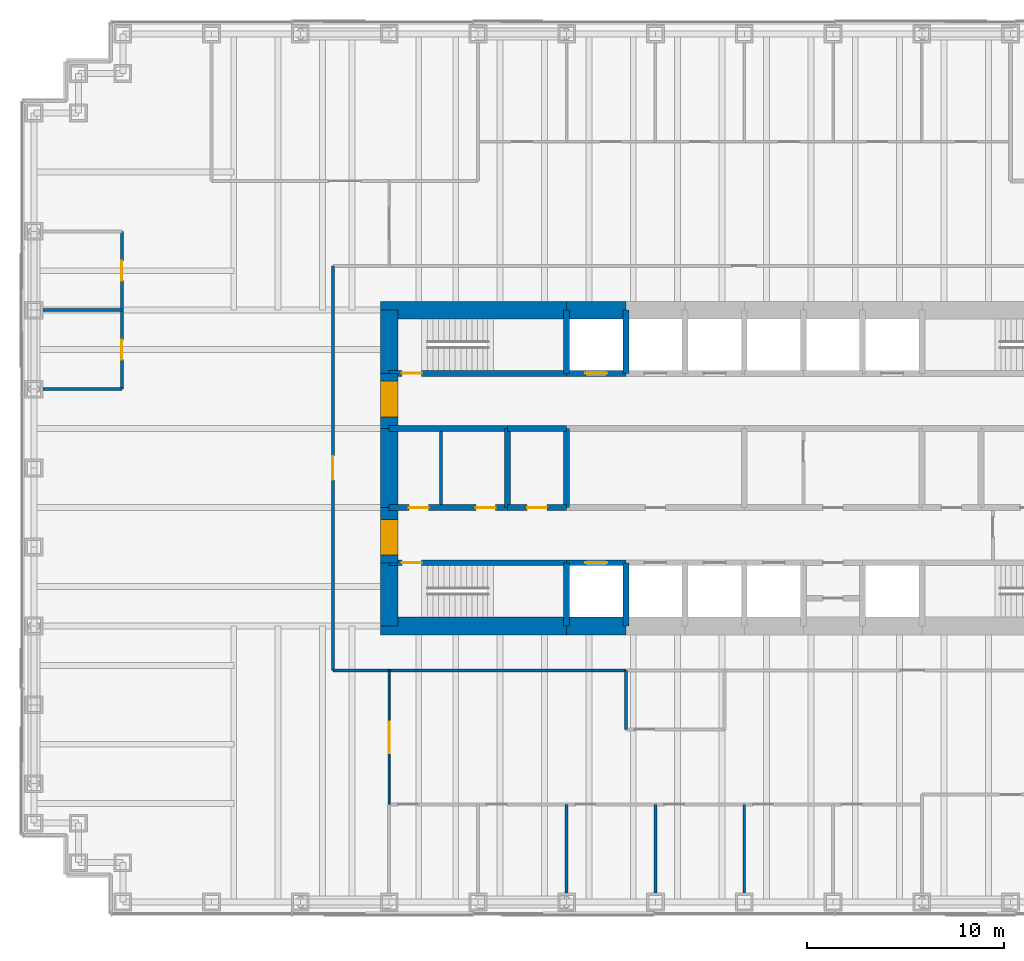
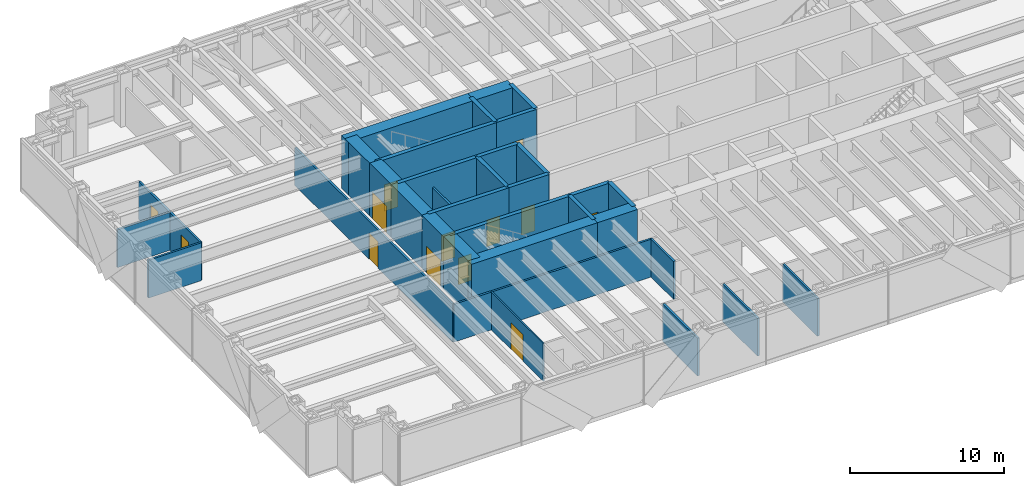
# One storey, part 11 of 15: 34 walls, 13 doors, 13 openings.
"""IFC4 building model written with IfcOpenShell, lengths in metres."""

import ifcopenshell
import ifcopenshell.guid

model = None  # the IFC model being written
_history = None  # IfcOwnerHistory: only IFC2X3 demands one
_inside = {}  # id of a spatial element -> (the spatial element, [elements in it])
_under = {}  # id of a project, library or spatial element -> (it, [spatial elements below it])
_declared = {}  # id of a project -> (the project, [libraries it declares])
_typed = {}  # id of a type object -> (the type object, [elements of that type])
_made_of = {}  # id of a material, layer set ... -> (it, [elements and type objects made of it])


def new_model(schema):
    """Start an empty IFC model of exactly this schema.

    Asked for "IFC4X3", IfcOpenShell would pick the latest addendum, in which some entities
    have other attributes; the version numbers below select the first issue.
    IFC2X3 requires an IfcOwnerHistory on every rooted entity: one is made here for all.
    """
    global model, _history
    if schema == "IFC4X3":
        model = ifcopenshell.file(schema_version=(4, 3, 0, 0))
    else:
        model = ifcopenshell.file(schema=schema)
    _inside.clear()
    _under.clear()
    _declared.clear()
    _typed.clear()
    _made_of.clear()
    _history = None
    if model.schema == "IFC2X3":
        org = make("IfcOrganization", Name="unknown")
        user = make(
            "IfcPersonAndOrganization",
            ThePerson=make("IfcPerson", FamilyName="unknown"),
            TheOrganization=org,
        )
        app = make(
            "IfcApplication",
            ApplicationDeveloper=org,
            Version="unknown",
            ApplicationFullName="unknown",
            ApplicationIdentifier="unknown",
        )
        _history = make(
            "IfcOwnerHistory",
            OwningUser=user,
            OwningApplication=app,
            ChangeAction="ADDED",
            CreationDate=0,
        )
    return model


def make(cls, **values):
    """One entity of the class cls with the attributes given. An attribute that is None is left unset."""
    return model.create_entity(
        cls, **{name: value for name, value in values.items() if value is not None}
    )


def rooted(cls, **values):
    """An entity with a GlobalId (a new one), such as an element, a storey or a relation."""
    return make(cls, GlobalId=ifcopenshell.guid.new(), OwnerHistory=_history, **values)


def si_unit(unit_type, name, prefix=None):
    """IfcSIUnit, for example si_unit("LENGTHUNIT", "METRE", prefix="MILLI")."""
    return make("IfcSIUnit", UnitType=unit_type, Prefix=prefix, Name=name)


def assignment(units):
    """IfcUnitAssignment: the units of a project."""
    return None if units is None else make("IfcUnitAssignment", Units=units)


def point(xyz):
    """IfcCartesianPoint."""
    return None if xyz is None else make("IfcCartesianPoint", Coordinates=xyz)


def direction(xyz):
    """IfcDirection."""
    return None if xyz is None else make("IfcDirection", DirectionRatios=xyz)


def frame(location, z_axis=None, x_axis=None):
    """IfcAxis2Placement3D, a coordinate frame: its origin and axes. An axis left out is left unset."""
    return make(
        "IfcAxis2Placement3D",
        Location=point(location),
        Axis=direction(z_axis),
        RefDirection=direction(x_axis),
    )


def frame_2d(location, x_axis=None):
    """IfcAxis2Placement2D, a coordinate frame in the plane: its origin and x axis."""
    return make(
        "IfcAxis2Placement2D", Location=point(location), RefDirection=direction(x_axis)
    )


def origin():
    """The frame at (0, 0, 0) with its axes left unset."""
    return frame((0.0, 0.0, 0.0))


def place(relative_to, where):
    """IfcLocalPlacement: puts the frame where relative to a parent placement (None: the world)."""
    return make(
        "IfcLocalPlacement", PlacementRelTo=relative_to, RelativePlacement=where
    )


def context(
    kind, dimensions, precision=None, world=None, true_north=None, identifier=None
):
    """IfcGeometricRepresentationContext, for example the 3D "Model" context."""
    return make(
        "IfcGeometricRepresentationContext",
        ContextIdentifier=identifier,
        ContextType=kind,
        CoordinateSpaceDimension=dimensions,
        Precision=precision,
        WorldCoordinateSystem=world,
        TrueNorth=true_north,
    )


def subcontext(parent, identifier, kind, view, scale=None):
    """IfcGeometricRepresentationSubContext, for example "Body" below "Model"."""
    return make(
        "IfcGeometricRepresentationSubContext",
        ContextIdentifier=identifier,
        ContextType=kind,
        ParentContext=parent,
        TargetScale=scale,
        TargetView=view,
    )


def project(units=None, contexts=None):
    """IfcProject with its units and contexts."""
    return rooted(
        "IfcProject",
        Name="project",
        RepresentationContexts=contexts,
        UnitsInContext=assignment(units),
    )


def spatial(cls, under=None, at=None, **own):
    """A site, building, storey or space (cls), placed at a placement, below another one or the project."""
    s = rooted(cls, ObjectPlacement=at, **own)
    if under is not None:
        _under.setdefault(under.id(), (under, []))[1].append(s)
    return s


def profile(cls, at=None, kind="AREA", **sizes):
    """A parametric profile (cls). Its sizes go by their IFC names, for example OverallWidth=200.0."""
    return make(cls, ProfileType=kind, Position=at, **sizes)


def rectangle(**sizes):
    """IfcRectangleProfileDef."""
    return profile("IfcRectangleProfileDef", **sizes)


def extrude(swept, where, along, depth):
    """IfcExtrudedAreaSolid: the profile swept, set in the frame where, extruded along a direction by depth."""
    return make(
        "IfcExtrudedAreaSolid",
        SweptArea=swept,
        Position=where,
        ExtrudedDirection=direction(along),
        Depth=depth,
    )


def shape(context_of_items, identifier, shape_type, items):
    """IfcShapeRepresentation: the items that make up one representation, for example the "Body"."""
    return make(
        "IfcShapeRepresentation",
        ContextOfItems=context_of_items,
        RepresentationIdentifier=identifier,
        RepresentationType=shape_type,
        Items=items,
    )


def material(Name=None, Category=None):
    """IfcMaterial."""
    return make("IfcMaterial", Name=Name, Category=Category)


def layer(
    of_material, thickness, ventilated=None, Name=None, Category=None, Priority=None
):
    """IfcMaterialLayer: one layer of a wall or slab, of a material (None: an air gap)."""
    return make(
        "IfcMaterialLayer",
        Material=of_material,
        LayerThickness=thickness,
        IsVentilated=ventilated,
        Name=Name,
        Category=Category,
        Priority=Priority,
    )


def layer_set(layers, Name=None):
    """IfcMaterialLayerSet."""
    return make("IfcMaterialLayerSet", MaterialLayers=layers, LayerSetName=Name)


def made_of(thing, what):
    """Note that an element or type object is made of a material, layer set ...; save() writes the relation."""
    if what is not None:
        _made_of.setdefault(what.id(), (what, []))[1].append(thing)
    return thing


def type_object(cls, material=None, **own):
    """A type object (cls), such as IfcWallType, which elements share."""
    return made_of(rooted(cls, **own), material)


def element(
    cls,
    number,
    at=None,
    inside=None,
    cuts=None,
    type_object=None,
    material=None,
    context=None,
    identifier="Body",
    shape_type=None,
    held_by="IfcProductDefinitionShape",
    body=None,
    shapes=None,
    **own,
):
    """One element of the class cls, such as IfcWall. Its Tag is "e" and its number.

    at: its placement. inside: the storey or other place that contains it. cuts: it is an
    opening in that element (IfcRelVoidsElement). A single representation is given by context,
    identifier, shape_type and body (its items); several are given by shapes. held_by: the class
    of the entity that holds the representations. save() writes the other relations.
    """
    e = rooted(cls, Tag="e%d" % number, ObjectPlacement=at, **own)
    if body is not None:
        shapes = [shape(context, identifier, shape_type, body)]
    if shapes is not None:
        e.Representation = make(held_by, Representations=shapes)
    if inside is not None:
        _inside.setdefault(inside.id(), (inside, []))[1].append(e)
    if cuts is not None:
        rooted(
            "IfcRelVoidsElement", RelatingBuildingElement=cuts, RelatedOpeningElement=e
        )
    if type_object is not None:
        _typed.setdefault(type_object.id(), (type_object, []))[1].append(e)
    return made_of(e, material)


def fill(opening, filler):
    """IfcRelFillsElement: the door or window that sits in an opening."""
    return rooted(
        "IfcRelFillsElement",
        RelatingOpeningElement=opening,
        RelatedBuildingElement=filler,
    )


def aggregate(whole, parts):
    """IfcRelAggregates: a whole, such as a stair, and the parts it consists of."""
    return rooted("IfcRelAggregates", RelatingObject=whole, RelatedObjects=parts)


def save(model, path):
    """Write the relations noted so far, then the file.

    IfcRelAggregates (storeys below a building ...), IfcRelContainedInSpatialStructure (elements
    in a storey), IfcRelDefinesByType, IfcRelAssociatesMaterial and IfcRelDeclares: one each for
    every whole, place, type object, material and project.
    """
    for whole, parts in _under.values():
        aggregate(whole, parts)
    for where, things in _inside.values():
        rooted(
            "IfcRelContainedInSpatialStructure",
            RelatedElements=things,
            RelatingStructure=where,
        )
    for kind, things in _typed.values():
        rooted("IfcRelDefinesByType", RelatedObjects=things, RelatingType=kind)
    for what, things in _made_of.values():
        rooted("IfcRelAssociatesMaterial", RelatedObjects=things, RelatingMaterial=what)
    for by, libraries in _declared.values():
        rooted("IfcRelDeclares", RelatingContext=by, RelatedDefinitions=libraries)
    model.write(path)


model = new_model("IFC4")

# Units and contexts
model_context = context("Model", 3, precision=1e-05, world=origin(), true_north=direction((0.0, 1.0)))
body_context = subcontext(model_context, "Body", "Model", "MODEL_VIEW")
ifc_project = project(units=[si_unit("LENGTHUNIT", "METRE"), si_unit("AREAUNIT", "SQUARE_METRE"), si_unit("VOLUMEUNIT", "CUBIC_METRE"), si_unit("PLANEANGLEUNIT", "RADIAN"), si_unit("MASSUNIT", "GRAM", prefix="KILO")], contexts=[model_context])

# Site, building, storey
site_placement = place(None, origin())
site = spatial("IfcSite", under=ifc_project, at=site_placement, CompositionType="ELEMENT")
building_placement = place(site_placement, origin())
building = spatial("IfcBuilding", under=site, at=building_placement, Name="Rheinbord Bourse Tower", CompositionType="ELEMENT")
storey_placement = place(building_placement, frame((0.0, 0.0, 113.10009765625)))
storey = spatial("IfcBuildingStorey", under=building, at=storey_placement, Name="L24", CompositionType="ELEMENT", Elevation=113.10009765625)

# Wall, opening, door
ifc_material_1 = material(Name="Concrete C50/60", Category="concrete")
ifc_layer_1 = layer(ifc_material_1, 0.300048828125)
ifc_layer_set_1 = layer_set([ifc_layer_1], Name="CORE INNER WALL 300")
wall_type_1 = type_object("IfcWallType", Name="CORE INNER WALL 300", PredefinedType="SOLIDWALL", material=ifc_layer_set_1)
wall_1_placement = place(storey_placement, frame((18.0, 19.199951171875, 0.0), z_axis=(0.0, 0.0, 1.0), x_axis=(1.0, 0.0, 0.0)))
wall_1 = element("IfcWall", 1, at=wall_1_placement, inside=storey, type_object=wall_type_1, Name="Core wall A1 L24", PredefinedType="SOLIDWALL", context=body_context, shape_type="SweptSolid", body=[
    extrude(rectangle(XDim=9.0, YDim=0.300048828125, at=frame_2d((4.5, 0.0))), origin(), (0.0, 0.0, 1.0), 4.199951171875),
])
opening_1_placement = place(wall_1_placement, frame((0.64990234375, 0.0, 0.0)))
opening_1 = element("IfcOpeningElement", 2, at=opening_1_placement, cuts=wall_1, Name="Opening 2410", PredefinedType="OPENING", context=body_context, shape_type="SweptSolid", body=[
    extrude(rectangle(XDim=1.0, YDim=2.10009765625, at=frame_2d((0.5, 1.050048828125))), frame((0.0, 0.159912109375, 0.0), z_axis=(0.0, -1.0, 0.0), x_axis=(1.0, 0.0, 0.0)), (0.0, 0.0, 1.0), 0.320068359375),
])
ifc_material_2 = material(Name="Steel door", Category="steel")
door_type_1 = type_object("IfcDoorType", Name="DOOR 1000 EI30", OperationType="SINGLE_SWING_LEFT", PredefinedType="DOOR", material=ifc_material_2)
door_1_placement = place(opening_1_placement, origin())
door_1 = element("IfcDoor", 3, at=door_1_placement, inside=storey, type_object=door_type_1, Name="Stair door ST1 L24", OperationType="SINGLE_SWING_LEFT", OverallHeight=2.10009765625, OverallWidth=1.0, PredefinedType="DOOR", context=body_context, shape_type="SweptSolid", body=[
    extrude(rectangle(XDim=1.0, YDim=2.10009765625, at=frame_2d((0.5, 1.050048828125))), frame((0.0, 0.02490234375, 0.0), z_axis=(0.0, -1.0, 0.0), x_axis=(1.0, 0.0, 0.0)), (0.0, 0.0, 1.0), 0.050048828125),
])
fill(opening_1, door_1)

wall_2_placement = place(storey_placement, frame((27.0, 19.199951171875, 0.0), z_axis=(0.0, 0.0, 1.0), x_axis=(1.0, 0.0, 0.0)))
wall_2 = element("IfcWall", 4, at=wall_2_placement, inside=storey, type_object=wall_type_1, Name="Core wall A2 L24", PredefinedType="SOLIDWALL", context=body_context, shape_type="SweptSolid", body=[
    extrude(rectangle(XDim=3.0, YDim=0.300048828125, at=frame_2d((1.5, 0.0))), origin(), (0.0, 0.0, 1.0), 4.199951171875),
])
opening_2_placement = place(wall_2_placement, frame((0.949951171875, 0.0, 0.0)))
opening_2 = element("IfcOpeningElement", 5, at=opening_2_placement, cuts=wall_2, Name="Opening FL1", PredefinedType="OPENING", context=body_context, shape_type="SweptSolid", body=[
    extrude(rectangle(XDim=1.10009765625, YDim=2.199951171875, at=frame_2d((0.550048828125, 1.10009765625))), frame((0.0, 0.159912109375, 0.0), z_axis=(0.0, -1.0, 0.0), x_axis=(1.0, 0.0, 0.0)), (0.0, 0.0, 1.0), 0.320068359375),
])
ifc_material_3 = material(Name="Steel landing door", Category="steel")
door_type_2 = type_object("IfcDoorType", Name="LIFT LANDING DOOR 1100", OperationType="DOUBLE_DOOR_SLIDING", PredefinedType="USERDEFINED", material=ifc_material_3)
door_2_placement = place(opening_2_placement, origin())
door_2 = element("IfcDoor", 6, at=door_2_placement, inside=storey, type_object=door_type_2, Name="Lift landing door FL1 L24", ObjectType="LIFT LANDING DOOR", OperationType="DOUBLE_DOOR_SLIDING", OverallHeight=2.199951171875, OverallWidth=1.10009765625, PredefinedType="USERDEFINED", context=body_context, shape_type="SweptSolid", body=[
    extrude(rectangle(XDim=1.10009765625, YDim=2.199951171875, at=frame_2d((0.550048828125, 1.10009765625))), frame((0.0, 0.02490234375, 0.0), z_axis=(0.0, -1.0, 0.0), x_axis=(1.0, 0.0, 0.0)), (0.0, 0.0, 1.0), 0.050048828125),
])
fill(opening_2, door_2)

wall_3_placement = place(storey_placement, frame((18.0, 28.800048828125, 0.0), z_axis=(0.0, 0.0, 1.0), x_axis=(1.0, 0.0, 0.0)))
wall_3 = element("IfcWall", 7, at=wall_3_placement, inside=storey, type_object=wall_type_1, Name="Core wall B1 L24", PredefinedType="SOLIDWALL", context=body_context, shape_type="SweptSolid", body=[
    extrude(rectangle(XDim=9.0, YDim=0.300048828125, at=frame_2d((4.5, 0.0))), origin(), (0.0, 0.0, 1.0), 4.199951171875),
])
opening_3_placement = place(wall_3_placement, frame((0.64990234375, 0.0, 0.0)))
opening_3 = element("IfcOpeningElement", 8, at=opening_3_placement, cuts=wall_3, Name="Opening 2420", PredefinedType="OPENING", context=body_context, shape_type="SweptSolid", body=[
    extrude(rectangle(XDim=1.0, YDim=2.10009765625, at=frame_2d((0.5, 1.050048828125))), frame((0.0, 0.159912109375, 0.0), z_axis=(0.0, -1.0, 0.0), x_axis=(1.0, 0.0, 0.0)), (0.0, 0.0, 1.0), 0.320068359375),
])
door_3_placement = place(opening_3_placement, origin())
door_3 = element("IfcDoor", 9, at=door_3_placement, inside=storey, type_object=door_type_1, Name="Stair door ST2 L24", OperationType="SINGLE_SWING_LEFT", OverallHeight=2.10009765625, OverallWidth=1.0, PredefinedType="DOOR", context=body_context, shape_type="SweptSolid", body=[
    extrude(rectangle(XDim=1.0, YDim=2.10009765625, at=frame_2d((0.5, 1.050048828125))), frame((0.0, 0.02490234375, 0.0), z_axis=(0.0, -1.0, 0.0), x_axis=(1.0, 0.0, 0.0)), (0.0, 0.0, 1.0), 0.050048828125),
])
fill(opening_3, door_3)

wall_4_placement = place(storey_placement, frame((27.0, 28.800048828125, 0.0), z_axis=(0.0, 0.0, 1.0), x_axis=(1.0, 0.0, 0.0)))
wall_4 = element("IfcWall", 10, at=wall_4_placement, inside=storey, type_object=wall_type_1, Name="Core wall B2 L24", PredefinedType="SOLIDWALL", context=body_context, shape_type="SweptSolid", body=[
    extrude(rectangle(XDim=3.0, YDim=0.300048828125, at=frame_2d((1.5, 0.0))), origin(), (0.0, 0.0, 1.0), 4.199951171875),
])
opening_4_placement = place(wall_4_placement, frame((0.949951171875, 0.0, 0.0)))
opening_4 = element("IfcOpeningElement", 11, at=opening_4_placement, cuts=wall_4, Name="Opening GL1", PredefinedType="OPENING", context=body_context, shape_type="SweptSolid", body=[
    extrude(rectangle(XDim=1.10009765625, YDim=2.199951171875, at=frame_2d((0.550048828125, 1.10009765625))), frame((0.0, 0.159912109375, 0.0), z_axis=(0.0, -1.0, 0.0), x_axis=(1.0, 0.0, 0.0)), (0.0, 0.0, 1.0), 0.320068359375),
])
door_4_placement = place(opening_4_placement, origin())
door_4 = element("IfcDoor", 12, at=door_4_placement, inside=storey, type_object=door_type_2, Name="Lift landing door GL1 L24", ObjectType="LIFT LANDING DOOR", OperationType="DOUBLE_DOOR_SLIDING", OverallHeight=2.199951171875, OverallWidth=1.10009765625, PredefinedType="USERDEFINED", context=body_context, shape_type="SweptSolid", body=[
    extrude(rectangle(XDim=1.10009765625, YDim=2.199951171875, at=frame_2d((0.550048828125, 1.10009765625))), frame((0.0, 0.02490234375, 0.0), z_axis=(0.0, -1.0, 0.0), x_axis=(1.0, 0.0, 0.0)), (0.0, 0.0, 1.0), 0.050048828125),
])
fill(opening_4, door_4)

# Wall, openings, doors
wall_5_placement = place(storey_placement, frame((18.0, 22.0, 0.0), z_axis=(0.0, 0.0, 1.0), x_axis=(1.0, 0.0, 0.0)))
wall_5 = element("IfcWall", 13, at=wall_5_placement, inside=storey, type_object=wall_type_1, Name="Core wall C1 L24", PredefinedType="SOLIDWALL", context=body_context, shape_type="SweptSolid", body=[
    extrude(rectangle(XDim=6.0, YDim=0.300048828125, at=frame_2d((3.0, 0.0))), origin(), (0.0, 0.0, 1.0), 4.199951171875),
])
opening_5_placement = place(wall_5_placement, frame((4.39990234375, 0.0, 0.0)))
opening_5 = element("IfcOpeningElement", 14, at=opening_5_placement, cuts=wall_5, Name="Opening 24R1", PredefinedType="OPENING", context=body_context, shape_type="SweptSolid", body=[
    extrude(rectangle(XDim=1.0, YDim=2.10009765625, at=frame_2d((0.5, 1.050048828125))), frame((0.0, 0.159912109375, 0.0), z_axis=(0.0, -1.0, 0.0), x_axis=(1.0, 0.0, 0.0)), (0.0, 0.0, 1.0), 0.320068359375),
])
opening_6_placement = place(wall_5_placement, frame((1.0, 0.0, 0.0)))
opening_6 = element("IfcOpeningElement", 15, at=opening_6_placement, cuts=wall_5, Name="Opening 24R9", PredefinedType="OPENING", context=body_context, shape_type="SweptSolid", body=[
    extrude(rectangle(XDim=1.0, YDim=2.10009765625, at=frame_2d((0.5, 1.050048828125))), frame((0.0, 0.159912109375, 0.0), z_axis=(0.0, -1.0, 0.0), x_axis=(1.0, 0.0, 0.0)), (0.0, 0.0, 1.0), 0.320068359375),
])
door_5_placement = place(opening_6_placement, origin())
door_5 = element("IfcDoor", 16, at=door_5_placement, inside=storey, type_object=door_type_1, Name="Baby change door L24", OperationType="SINGLE_SWING_LEFT", OverallHeight=2.10009765625, OverallWidth=1.0, PredefinedType="DOOR", context=body_context, shape_type="SweptSolid", body=[
    extrude(rectangle(XDim=1.0, YDim=2.10009765625, at=frame_2d((0.5, 1.050048828125))), frame((0.0, 0.02490234375, 0.0), z_axis=(0.0, -1.0, 0.0), x_axis=(1.0, 0.0, 0.0)), (0.0, 0.0, 1.0), 0.050048828125),
])
fill(opening_6, door_5)
ifc_material_4 = material(Name="Timber door", Category="wood")
door_type_3 = type_object("IfcDoorType", Name="DOOR 1000 WC", OperationType="SINGLE_SWING_LEFT", PredefinedType="DOOR", material=ifc_material_4)
door_6_placement = place(opening_5_placement, origin())
door_6 = element("IfcDoor", 17, at=door_6_placement, inside=storey, type_object=door_type_3, Name="WC men door L24", OperationType="SINGLE_SWING_RIGHT", OverallHeight=2.10009765625, OverallWidth=1.0, PredefinedType="DOOR", context=body_context, shape_type="SweptSolid", body=[
    extrude(rectangle(XDim=1.0, YDim=2.10009765625, at=frame_2d((0.5, 1.050048828125))), frame((0.0, 0.02490234375, 0.0), z_axis=(0.0, -1.0, 0.0), x_axis=(1.0, 0.0, 0.0)), (0.0, 0.0, 1.0), 0.050048828125),
])
fill(opening_5, door_6)

# Wall, opening, door
wall_6_placement = place(storey_placement, frame((24.0, 22.0, 0.0), z_axis=(0.0, 0.0, 1.0), x_axis=(1.0, 0.0, 0.0)))
wall_6 = element("IfcWall", 18, at=wall_6_placement, inside=storey, type_object=wall_type_1, Name="Core wall C2 L24", PredefinedType="SOLIDWALL", context=body_context, shape_type="SweptSolid", body=[
    extrude(rectangle(XDim=3.0, YDim=0.300048828125, at=frame_2d((1.5, 0.0))), origin(), (0.0, 0.0, 1.0), 4.199951171875),
])
opening_7_placement = place(wall_6_placement, frame((1.0, 0.0, 0.0)))
opening_7 = element("IfcOpeningElement", 19, at=opening_7_placement, cuts=wall_6, Name="Opening 24R2", PredefinedType="OPENING", context=body_context, shape_type="SweptSolid", body=[
    extrude(rectangle(XDim=1.0, YDim=2.10009765625, at=frame_2d((0.5, 1.050048828125))), frame((0.0, 0.159912109375, 0.0), z_axis=(0.0, -1.0, 0.0), x_axis=(1.0, 0.0, 0.0)), (0.0, 0.0, 1.0), 0.320068359375),
])
door_7_placement = place(opening_7_placement, origin())
door_7 = element("IfcDoor", 20, at=door_7_placement, inside=storey, type_object=door_type_3, Name="Shower and accessible WC door L24", OperationType="SINGLE_SWING_LEFT", OverallHeight=2.10009765625, OverallWidth=1.0, PredefinedType="DOOR", context=body_context, shape_type="SweptSolid", body=[
    extrude(rectangle(XDim=1.0, YDim=2.10009765625, at=frame_2d((0.5, 1.050048828125))), frame((0.0, 0.02490234375, 0.0), z_axis=(0.0, -1.0, 0.0), x_axis=(1.0, 0.0, 0.0)), (0.0, 0.0, 1.0), 0.050048828125),
])
fill(opening_7, door_7)

# Walls
wall_7_placement = place(storey_placement, frame((18.0, 26.0, 0.0), z_axis=(0.0, 0.0, 1.0), x_axis=(1.0, 0.0, 0.0)))
element("IfcWall", 21, at=wall_7_placement, inside=storey, type_object=wall_type_1, Name="Core wall D1 L24", PredefinedType="SOLIDWALL", context=body_context, shape_type="SweptSolid", body=[
    extrude(rectangle(XDim=6.0, YDim=0.300048828125, at=frame_2d((3.0, 0.0))), origin(), (0.0, 0.0, 1.0), 4.199951171875),
])
wall_8_placement = place(storey_placement, frame((24.0, 26.0, 0.0), z_axis=(0.0, 0.0, 1.0), x_axis=(1.0, 0.0, 0.0)))
element("IfcWall", 22, at=wall_8_placement, inside=storey, type_object=wall_type_1, Name="Core wall D2 L24", PredefinedType="SOLIDWALL", context=body_context, shape_type="SweptSolid", body=[
    extrude(rectangle(XDim=3.0, YDim=0.300048828125, at=frame_2d((1.5, 0.0))), origin(), (0.0, 0.0, 1.0), 4.199951171875),
])
for number, where, z_axis, x_axis, name in (
    (23, (27.0, 16.0, 0.0), (0.0, 0.0, 1.0), (0.0, 1.0, 0.0), "Core wall SX27 L24"),
    (24, (27.0, 28.800048828125, 0.0), (0.0, 0.0, 1.0), (0.0, 1.0, 0.0), "Core wall NX27 L24"),
    (25, (30.0, 16.0, 0.0), (0.0, 0.0, 1.0), (0.0, 1.0, 0.0), "Core wall SX30 L24"),
    (26, (30.0, 28.800048828125, 0.0), (0.0, 0.0, 1.0), (0.0, 1.0, 0.0), "Core wall NX30 L24"),
):
    element("IfcWall", number, at=place(storey_placement, frame(where, z_axis=z_axis, x_axis=x_axis)), inside=storey, type_object=wall_type_1, Name=name, PredefinedType="SOLIDWALL", context=body_context, shape_type="SweptSolid", body=[
        extrude(rectangle(XDim=3.199951171875, YDim=0.300048828125, at=frame_2d((1.60009765625, 0.0))), origin(), (0.0, 0.0, 1.0), 4.199951171875),
    ])
for number, where, z_axis, x_axis, name in (
    (27, (24.0, 22.0, 0.0), (0.0, 0.0, 1.0), (0.0, 1.0, 0.0), "Core wall MX24 L24"),
    (28, (27.0, 22.0, 0.0), (0.0, 0.0, 1.0), (0.0, 1.0, 0.0), "Core wall MX27 L24"),
):
    element("IfcWall", number, at=place(storey_placement, frame(where, z_axis=z_axis, x_axis=x_axis)), inside=storey, type_object=wall_type_1, Name=name, PredefinedType="SOLIDWALL", context=body_context, shape_type="SweptSolid", body=[
        extrude(rectangle(XDim=4.0, YDim=0.300048828125, at=frame_2d((2.0, 0.0))), origin(), (0.0, 0.0, 1.0), 4.199951171875),
    ])
ifc_material_5 = material(Name="Gypsum board fire partition", Category="gypsum board")
ifc_layer_2 = layer(ifc_material_5, 0.14990234375)
ifc_layer_set_2 = layer_set([ifc_layer_2], Name="CORE PARTITION 150 EI30")
wall_type_2 = type_object("IfcWallType", Name="CORE PARTITION 150 EI30", PredefinedType="PARTITIONING", material=ifc_layer_set_2)
wall_9_placement = place(storey_placement, frame((20.625, 22.14990234375, 0.0), z_axis=(0.0, 0.0, 1.0), x_axis=(0.0, 1.0, 0.0)))
element("IfcWall", 29, at=wall_9_placement, inside=storey, type_object=wall_type_2, Name="Core partition L24-2", PredefinedType="PARTITIONING", context=body_context, shape_type="SweptSolid", body=[
    extrude(rectangle(XDim=3.7001953125, YDim=0.14990234375, at=frame_2d((1.85009765625, 0.0))), origin(), (0.0, 0.0, 1.0), 3.0),
])
ifc_material_6 = material(Name="Concrete C50/60", Category="concrete")
ifc_layer_3 = layer(ifc_material_6, 0.89990234375)
ifc_layer_set_3 = layer_set([ifc_layer_3], Name="CORE WALL 900")
wall_type_3 = type_object("IfcWallType", Name="CORE WALL 900", PredefinedType="SHEAR", material=ifc_layer_set_3)
wall_10_placement = place(storey_placement, frame((17.550048828125, 16.0, 0.0), z_axis=(0.0, 0.0, 1.0), x_axis=(1.0, 0.0, 0.0)))
element("IfcWall", 30, at=wall_10_placement, inside=storey, type_object=wall_type_3, Name="Core wall S1 L24", PredefinedType="SHEAR", context=body_context, shape_type="SweptSolid", body=[
    extrude(rectangle(XDim=9.449951171875, YDim=0.89990234375, at=frame_2d((4.72509765625, 0.0))), origin(), (0.0, 0.0, 1.0), 4.199951171875),
])
for number, where, z_axis, x_axis, name in (
    (31, (27.0, 16.0, 0.0), (0.0, 0.0, 1.0), (1.0, 0.0, 0.0), "Core wall S2 L24"),
    (32, (30.0, 32.0, 0.0), (0.0, 0.0, 1.0), (-1.0, 0.0, 0.0), "Core wall N7 L24"),
):
    element("IfcWall", number, at=place(storey_placement, frame(where, z_axis=z_axis, x_axis=x_axis)), inside=storey, type_object=wall_type_3, Name=name, PredefinedType="SHEAR", context=body_context, shape_type="SweptSolid", body=[
        extrude(rectangle(XDim=3.0, YDim=0.89990234375, at=frame_2d((1.5, 0.0))), origin(), (0.0, 0.0, 1.0), 4.199951171875),
    ])
wall_11_placement = place(storey_placement, frame((27.0, 32.0, 0.0), z_axis=(0.0, 0.0, 1.0), x_axis=(-1.0, 0.0, 0.0)))
element("IfcWall", 33, at=wall_11_placement, inside=storey, type_object=wall_type_3, Name="Core wall N8 L24", PredefinedType="SHEAR", context=body_context, shape_type="SweptSolid", body=[
    extrude(rectangle(XDim=9.449951171875, YDim=0.89990234375, at=frame_2d((4.72509765625, 0.0))), origin(), (0.0, 0.0, 1.0), 4.199951171875),
])
wall_12_placement = place(storey_placement, frame((18.0, 32.0, 0.0), z_axis=(0.0, 0.0, 1.0), x_axis=(0.0, -1.0, 0.0)))
element("IfcWall", 34, at=wall_12_placement, inside=storey, type_object=wall_type_3, Name="Core wall W1 L24", PredefinedType="SHEAR", context=body_context, shape_type="SweptSolid", body=[
    extrude(rectangle(XDim=3.199951171875, YDim=0.89990234375, at=frame_2d((1.60009765625, 0.0))), origin(), (0.0, 0.0, 1.0), 4.199951171875),
])

# Wall, opening, door
wall_13_placement = place(storey_placement, frame((18.0, 28.800048828125, 0.0), z_axis=(0.0, 0.0, 1.0), x_axis=(0.0, -1.0, 0.0)))
wall_13 = element("IfcWall", 35, at=wall_13_placement, inside=storey, type_object=wall_type_3, Name="Core wall W2 L24", PredefinedType="SHEAR", context=body_context, shape_type="SweptSolid", body=[
    extrude(rectangle(XDim=2.800048828125, YDim=0.89990234375, at=frame_2d((1.39990234375, 0.0))), origin(), (0.0, 0.0, 1.0), 4.199951171875),
])
opening_8_placement = place(wall_13_placement, frame((0.39990234375, 0.0, 0.0)))
opening_8 = element("IfcOpeningElement", 36, at=opening_8_placement, cuts=wall_13, Name="Opening 24L2", PredefinedType="OPENING", context=body_context, shape_type="SweptSolid", body=[
    extrude(rectangle(XDim=1.800048828125, YDim=2.10009765625, at=frame_2d((0.89990234375, 1.050048828125))), frame((0.0, 0.4599609375, 0.0), z_axis=(0.0, -1.0, 0.0), x_axis=(1.0, 0.0, 0.0)), (0.0, 0.0, 1.0), 0.919921875),
])
ifc_material_7 = material(Name="Steel door", Category="steel")
door_type_4 = type_object("IfcDoorType", Name="DOOR 1800 EI30 DOUBLE", OperationType="DOUBLE_DOOR_DOUBLE_SWING", PredefinedType="DOOR", material=ifc_material_7)
door_8_placement = place(opening_8_placement, origin())
door_8 = element("IfcDoor", 37, at=door_8_placement, inside=storey, type_object=door_type_4, Name="Lobby door 2 L24", OperationType="SINGLE_SWING_LEFT", OverallHeight=2.10009765625, OverallWidth=1.800048828125, PredefinedType="DOOR", context=body_context, shape_type="SweptSolid", body=[
    extrude(rectangle(XDim=1.800048828125, YDim=2.10009765625, at=frame_2d((0.89990234375, 1.050048828125))), frame((0.0, 0.44970703125, 0.0), z_axis=(0.0, -1.0, 0.0), x_axis=(1.0, 0.0, 0.0)), (0.0, 0.0, 1.0), 0.8994140625),
])
fill(opening_8, door_8)

# Wall
wall_14_placement = place(storey_placement, frame((18.0, 26.0, 0.0), z_axis=(0.0, 0.0, 1.0), x_axis=(0.0, -1.0, 0.0)))
element("IfcWall", 38, at=wall_14_placement, inside=storey, type_object=wall_type_3, Name="Core wall W3 L24", PredefinedType="SHEAR", context=body_context, shape_type="SweptSolid", body=[
    extrude(rectangle(XDim=4.0, YDim=0.89990234375, at=frame_2d((2.0, 0.0))), origin(), (0.0, 0.0, 1.0), 4.199951171875),
])

# Wall, opening, door
wall_15_placement = place(storey_placement, frame((18.0, 22.0, 0.0), z_axis=(0.0, 0.0, 1.0), x_axis=(0.0, -1.0, 0.0)))
wall_15 = element("IfcWall", 39, at=wall_15_placement, inside=storey, type_object=wall_type_3, Name="Core wall W4 L24", PredefinedType="SHEAR", context=body_context, shape_type="SweptSolid", body=[
    extrude(rectangle(XDim=2.800048828125, YDim=0.89990234375, at=frame_2d((1.39990234375, 0.0))), origin(), (0.0, 0.0, 1.0), 4.199951171875),
])
opening_9_placement = place(wall_15_placement, frame((0.60009765625, 0.0, 0.0)))
opening_9 = element("IfcOpeningElement", 40, at=opening_9_placement, cuts=wall_15, Name="Opening 24L1", PredefinedType="OPENING", context=body_context, shape_type="SweptSolid", body=[
    extrude(rectangle(XDim=1.800048828125, YDim=2.10009765625, at=frame_2d((0.89990234375, 1.050048828125))), frame((0.0, 0.4599609375, 0.0), z_axis=(0.0, -1.0, 0.0), x_axis=(1.0, 0.0, 0.0)), (0.0, 0.0, 1.0), 0.919921875),
])
door_9_placement = place(opening_9_placement, origin())
door_9 = element("IfcDoor", 41, at=door_9_placement, inside=storey, type_object=door_type_4, Name="Lobby door 1 L24", OperationType="SINGLE_SWING_LEFT", OverallHeight=2.10009765625, OverallWidth=1.800048828125, PredefinedType="DOOR", context=body_context, shape_type="SweptSolid", body=[
    extrude(rectangle(XDim=1.800048828125, YDim=2.10009765625, at=frame_2d((0.89990234375, 1.050048828125))), frame((0.0, 0.44970703125, 0.0), z_axis=(0.0, -1.0, 0.0), x_axis=(1.0, 0.0, 0.0)), (0.0, 0.0, 1.0), 0.8994140625),
])
fill(opening_9, door_9)

# Walls
wall_16_placement = place(storey_placement, frame((18.0, 19.199951171875, 0.0), z_axis=(0.0, 0.0, 1.0), x_axis=(0.0, -1.0, 0.0)))
element("IfcWall", 42, at=wall_16_placement, inside=storey, type_object=wall_type_3, Name="Core wall W5 L24", PredefinedType="SHEAR", context=body_context, shape_type="SweptSolid", body=[
    extrude(rectangle(XDim=3.199951171875, YDim=0.89990234375, at=frame_2d((1.60009765625, 0.0))), origin(), (0.0, 0.0, 1.0), 4.199951171875),
])
ifc_material_8 = material(Name="Gypsum board corridor partition", Category="gypsum board")
ifc_layer_4 = layer(ifc_material_8, 0.14990234375)
ifc_layer_set_4 = layer_set([ifc_layer_4], Name="CORRIDOR PARTITION 150 EI30")
wall_type_4 = type_object("IfcWallType", Name="CORRIDOR PARTITION 150 EI30", PredefinedType="PARTITIONING", material=ifc_layer_set_4)
wall_17_placement = place(storey_placement, frame((15.14990234375, 13.75, 0.0), z_axis=(0.0, 0.0, 1.0), x_axis=(1.0, 0.0, 0.0)))
element("IfcWall", 43, at=wall_17_placement, inside=storey, type_object=wall_type_4, Name="Partition L24-04", PredefinedType="PARTITIONING", context=body_context, shape_type="SweptSolid", body=[
    extrude(rectangle(XDim=14.85009765625, YDim=0.14990234375, at=frame_2d((7.425048828125, 0.0))), origin(), (0.0, 0.0, 1.0), 3.0),
])

# Wall, opening, door
wall_18_placement = place(storey_placement, frame((15.14990234375, 13.75, 0.0), z_axis=(0.0, 0.0, 1.0), x_axis=(0.0, 1.0, 0.0)))
wall_18 = element("IfcWall", 44, at=wall_18_placement, inside=storey, type_object=wall_type_4, Name="Partition L24-18", PredefinedType="PARTITIONING", context=body_context, shape_type="SweptSolid", body=[
    extrude(rectangle(XDim=20.5, YDim=0.14990234375, at=frame_2d((10.25, 0.0))), origin(), (0.0, 0.0, 1.0), 3.0),
])
opening_10_placement = place(wall_18_placement, frame((9.64990234375, 0.0, 0.0)))
opening_10 = element("IfcOpeningElement", 45, at=opening_10_placement, cuts=wall_18, Name="Opening 24D24", PredefinedType="OPENING", context=body_context, shape_type="SweptSolid", body=[
    extrude(rectangle(XDim=1.199951171875, YDim=2.10009765625, at=frame_2d((0.60009765625, 1.050048828125))), frame((0.0, 0.0849609375, 0.0), z_axis=(0.0, -1.0, 0.0), x_axis=(1.0, 0.0, 0.0)), (0.0, 0.0, 1.0), 0.169921875),
])
ifc_material_9 = material(Name="Timber fire door", Category="wood")
door_type_5 = type_object("IfcDoorType", Name="SUITE ENTRANCE DOOR 1200 EI30", OperationType="SINGLE_SWING_LEFT", PredefinedType="DOOR", material=ifc_material_9)
door_10_placement = place(opening_10_placement, origin())
door_10 = element("IfcDoor", 46, at=door_10_placement, inside=storey, type_object=door_type_5, Name="Suite entrance 1 door L24", OperationType="SINGLE_SWING_LEFT", OverallHeight=2.10009765625, OverallWidth=1.199951171875, PredefinedType="DOOR", context=body_context, shape_type="SweptSolid", body=[
    extrude(rectangle(XDim=1.199951171875, YDim=2.10009765625, at=frame_2d((0.60009765625, 1.050048828125))), frame((0.0, 0.02490234375, 0.0), z_axis=(0.0, -1.0, 0.0), x_axis=(1.0, 0.0, 0.0)), (0.0, 0.0, 1.0), 0.050048828125),
])
fill(opening_10, door_10)

# Wall
ifc_material_10 = material(Name="Gypsum board fire partition", Category="gypsum board")
ifc_layer_5 = layer(ifc_material_10, 0.14990234375)
ifc_layer_set_5 = layer_set([ifc_layer_5], Name="FIRE PARTITION 150 EI60")
wall_type_5 = type_object("IfcWallType", Name="FIRE PARTITION 150 EI60", PredefinedType="PARTITIONING", material=ifc_layer_set_5)
wall_19_placement = place(storey_placement, frame((30.0, 10.75, 0.0), z_axis=(0.0, 0.0, 1.0), x_axis=(0.0, 1.0, 0.0)))
element("IfcWall", 47, at=wall_19_placement, inside=storey, type_object=wall_type_5, Name="Partition L24-26", PredefinedType="PARTITIONING", context=body_context, shape_type="SweptSolid", body=[
    extrude(rectangle(XDim=3.0, YDim=0.14990234375, at=frame_2d((1.5, 0.0))), origin(), (0.0, 0.0, 1.0), 3.0),
])

# Wall, opening, door
ifc_material_11 = material(Name="Toughened laminated glass partition", Category="glass")
ifc_layer_6 = layer(ifc_material_11, 0.10009765625)
ifc_layer_set_6 = layer_set([ifc_layer_6], Name="GLAZED PARTITION 100")
wall_type_6 = type_object("IfcWallType", Name="GLAZED PARTITION 100", PredefinedType="PARTITIONING", material=ifc_layer_set_6)
wall_20_placement = place(storey_placement, frame((18.0, 6.949951171875, 0.0), z_axis=(0.0, 0.0, 1.0), x_axis=(0.0, 1.0, 0.0)))
wall_20 = element("IfcWall", 48, at=wall_20_placement, inside=storey, type_object=wall_type_6, Name="Partition L24-20", PredefinedType="PARTITIONING", context=body_context, shape_type="SweptSolid", body=[
    extrude(rectangle(XDim=6.800048828125, YDim=0.10009765625, at=frame_2d((3.39990234375, 0.0))), origin(), (0.0, 0.0, 1.0), 3.0),
])
opening_11_placement = place(wall_20_placement, frame((2.60009765625, 0.0, 0.0)))
opening_11 = element("IfcOpeningElement", 49, at=opening_11_placement, cuts=wall_20, Name="Opening 24D20", PredefinedType="OPENING", context=body_context, shape_type="SweptSolid", body=[
    extrude(rectangle(XDim=1.60009765625, YDim=2.10009765625, at=frame_2d((0.800048828125, 1.050048828125))), frame((0.0, 0.06005859375, 0.0), z_axis=(0.0, -1.0, 0.0), x_axis=(1.0, 0.0, 0.0)), (0.0, 0.0, 1.0), 0.1201171875),
])
ifc_material_12 = material(Name="Timber door", Category="wood")
door_type_6 = type_object("IfcDoorType", Name="DOUBLE ROOM DOOR 1600", OperationType="DOUBLE_DOOR_DOUBLE_SWING", PredefinedType="DOOR", material=ifc_material_12)
door_11_placement = place(opening_11_placement, origin())
door_11 = element("IfcDoor", 50, at=door_11_placement, inside=storey, type_object=door_type_6, Name="Open area door L24", OperationType="SINGLE_SWING_LEFT", OverallHeight=2.10009765625, OverallWidth=1.60009765625, PredefinedType="DOOR", context=body_context, shape_type="SweptSolid", body=[
    extrude(rectangle(XDim=1.60009765625, YDim=2.10009765625, at=frame_2d((0.800048828125, 1.050048828125))), frame((0.0, 0.02490234375, 0.0), z_axis=(0.0, -1.0, 0.0), x_axis=(1.0, 0.0, 0.0)), (0.0, 0.0, 1.0), 0.050048828125),
])
fill(opening_11, door_11)

# Walls
ifc_material_13 = material(Name="Gypsum board partition", Category="gypsum board")
ifc_layer_7 = layer(ifc_material_13, 0.14990234375)
ifc_layer_set_7 = layer_set([ifc_layer_7], Name="PARTITION 150")
wall_type_7 = type_object("IfcWallType", Name="PARTITION 150", PredefinedType="PARTITIONING", material=ifc_layer_set_7)
for number, where, z_axis, x_axis, name in (
    (51, (0.449951171875, 28.0, 0.0), (0.0, 0.0, 1.0), (1.0, 0.0, 0.0), "Partition L24-09"),
    (52, (0.449951171875, 32.0, 0.0), (0.0, 0.0, 1.0), (1.0, 0.0, 0.0), "Partition L24-10"),
):
    element("IfcWall", number, at=place(storey_placement, frame(where, z_axis=z_axis, x_axis=x_axis)), inside=storey, type_object=wall_type_7, Name=name, PredefinedType="PARTITIONING", context=body_context, shape_type="SweptSolid", body=[
        extrude(rectangle(XDim=4.0, YDim=0.14990234375, at=frame_2d((2.0, 0.0))), origin(), (0.0, 0.0, 1.0), 3.0),
    ])

# Wall, openings, doors
wall_21_placement = place(storey_placement, frame((4.449951171875, 28.0, 0.0), z_axis=(0.0, 0.0, 1.0), x_axis=(0.0, 1.0, 0.0)))
wall_21 = element("IfcWall", 53, at=wall_21_placement, inside=storey, type_object=wall_type_7, Name="Partition L24-16", PredefinedType="PARTITIONING", context=body_context, shape_type="SweptSolid", body=[
    extrude(rectangle(XDim=8.0, YDim=0.14990234375, at=frame_2d((4.0, 0.0))), origin(), (0.0, 0.0, 1.0), 3.0),
])
opening_12_placement = place(wall_21_placement, frame((1.5, 0.0, 0.0)))
opening_12 = element("IfcOpeningElement", 54, at=opening_12_placement, cuts=wall_21, Name="Opening 24D10", PredefinedType="OPENING", context=body_context, shape_type="SweptSolid", body=[
    extrude(rectangle(XDim=1.0, YDim=2.10009765625, at=frame_2d((0.5, 1.050048828125))), frame((0.0, 0.0849609375, 0.0), z_axis=(0.0, -1.0, 0.0), x_axis=(1.0, 0.0, 0.0)), (0.0, 0.0, 1.0), 0.169921875),
])
opening_13_placement = place(wall_21_placement, frame((5.5, 0.0, 0.0)))
opening_13 = element("IfcOpeningElement", 55, at=opening_13_placement, cuts=wall_21, Name="Opening 24D11", PredefinedType="OPENING", context=body_context, shape_type="SweptSolid", body=[
    extrude(rectangle(XDim=1.0, YDim=2.10009765625, at=frame_2d((0.5, 1.050048828125))), frame((0.0, 0.0849609375, 0.0), z_axis=(0.0, -1.0, 0.0), x_axis=(1.0, 0.0, 0.0)), (0.0, 0.0, 1.0), 0.169921875),
])
ifc_material_14 = material(Name="Timber door", Category="wood")
door_type_7 = type_object("IfcDoorType", Name="ROOM DOOR 1000", OperationType="SINGLE_SWING_LEFT", PredefinedType="DOOR", material=ifc_material_14)
door_12_placement = place(opening_12_placement, origin())
door_12 = element("IfcDoor", 56, at=door_12_placement, inside=storey, type_object=door_type_7, Name="Copy room door L24", OperationType="SINGLE_SWING_LEFT", OverallHeight=2.10009765625, OverallWidth=1.0, PredefinedType="DOOR", context=body_context, shape_type="SweptSolid", body=[
    extrude(rectangle(XDim=1.0, YDim=2.10009765625, at=frame_2d((0.5, 1.050048828125))), frame((0.0, 0.02490234375, 0.0), z_axis=(0.0, -1.0, 0.0), x_axis=(1.0, 0.0, 0.0)), (0.0, 0.0, 1.0), 0.050048828125),
])
fill(opening_12, door_12)
door_13_placement = place(opening_13_placement, origin())
door_13 = element("IfcDoor", 57, at=door_13_placement, inside=storey, type_object=door_type_7, Name="Store door L24", OperationType="SINGLE_SWING_RIGHT", OverallHeight=2.10009765625, OverallWidth=1.0, PredefinedType="DOOR", context=body_context, shape_type="SweptSolid", body=[
    extrude(rectangle(XDim=1.0, YDim=2.10009765625, at=frame_2d((0.5, 1.050048828125))), frame((0.0, 0.02490234375, 0.0), z_axis=(0.0, -1.0, 0.0), x_axis=(1.0, 0.0, 0.0)), (0.0, 0.0, 1.0), 0.050048828125),
])
fill(opening_13, door_13)

# Walls
for number, where, z_axis, x_axis, name in (
    (58, (27.0, 2.449951171875, 0.0), (0.0, 0.0, 1.0), (0.0, 1.0, 0.0), "Partition L24-24"),
    (59, (31.5, 2.449951171875, 0.0), (0.0, 0.0, 1.0), (0.0, 1.0, 0.0), "Partition L24-27"),
    (60, (36.0, 2.449951171875, 0.0), (0.0, 0.0, 1.0), (0.0, 1.0, 0.0), "Partition L24-30"),
):
    element("IfcWall", number, at=place(storey_placement, frame(where, z_axis=z_axis, x_axis=x_axis)), inside=storey, type_object=wall_type_7, Name=name, PredefinedType="PARTITIONING", context=body_context, shape_type="SweptSolid", body=[
        extrude(rectangle(XDim=4.5, YDim=0.14990234375, at=frame_2d((2.25, 0.0))), origin(), (0.0, 0.0, 1.0), 3.0),
    ])

save(model, "model.ifc")
